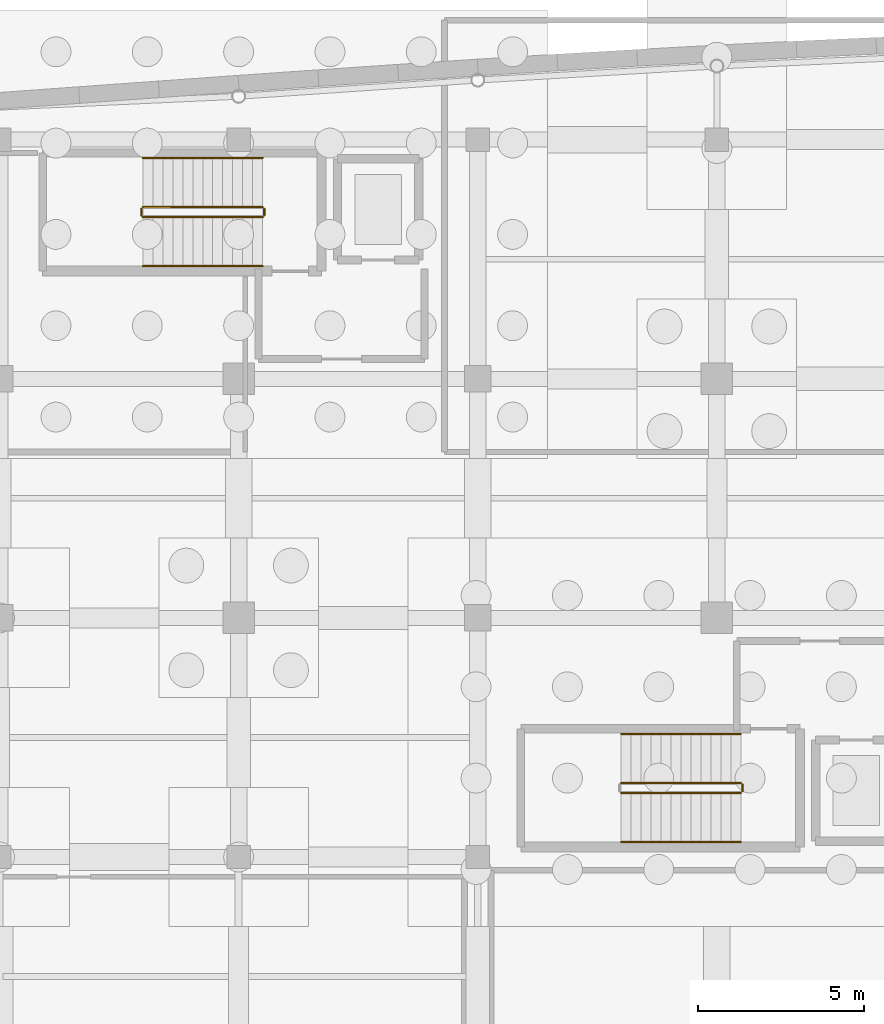
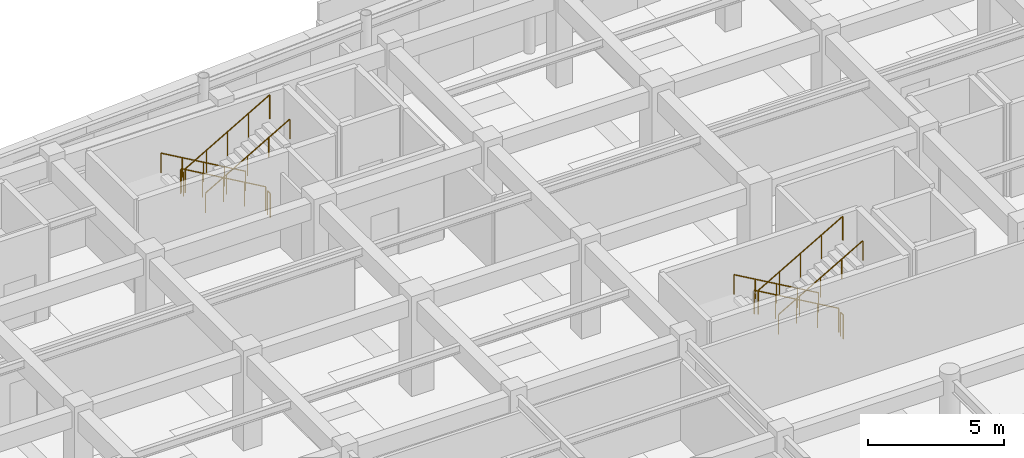
# One storey, part 44 of 48: 11 railings.
"""IFC4 building model written with IfcOpenShell, lengths in metres."""

from ifc_helpers import new_model, si_unit, direction, frame, origin, origin_2d, place, context, subcontext, project, spatial, circle, extrude, material, layer, layer_set, type_object, element, save


model = new_model("IFC4")

# Units and contexts
model_context = context("Model", 3, precision=1e-05, world=origin(), true_north=direction((0.0, 1.0)))
body_context = subcontext(model_context, "Body", "Model", "MODEL_VIEW")
ifc_project = project(units=[si_unit("LENGTHUNIT", "METRE"), si_unit("AREAUNIT", "SQUARE_METRE"), si_unit("VOLUMEUNIT", "CUBIC_METRE"), si_unit("PLANEANGLEUNIT", "RADIAN"), si_unit("MASSUNIT", "GRAM", prefix="KILO")], contexts=[model_context])

# Site, building, storey
site_placement = place(None, origin())
site = spatial("IfcSite", under=ifc_project, at=site_placement, CompositionType="ELEMENT")
building_placement = place(site_placement, origin())
building = spatial("IfcBuilding", under=site, at=building_placement, Name="Carrowvane Square Congress Hotel", CompositionType="ELEMENT")
storey_placement = place(building_placement, frame((0.0, 0.0, -4.5)))
storey = spatial("IfcBuildingStorey", under=building, at=storey_placement, Name="B01", CompositionType="ELEMENT", Elevation=-4.5)

# Railings
ifc_material_1 = material(Name="Stainless steel 316", Category="steel")
ifc_layer_1 = layer(ifc_material_1, 0.048095703125)
ifc_layer_set_1 = layer_set([ifc_layer_1], Name="Stainless steel 316")
railing_type_1 = type_object("IfcRailingType", Name="RLG-HR-900", PredefinedType="HANDRAIL", material=ifc_layer_set_1)
railing_1_placement = place(storey_placement, frame((62.719970703125, 112.85009765625, 0.173095703125)))
element("IfcRailing", 1, at=railing_1_placement, inside=storey, type_object=railing_type_1, Name="B01 ST1 stair handrail 1", PredefinedType="HANDRAIL", context=body_context, shape_type="SweptSolid", body=[
    extrude(circle(Radius=0.02392578125, at=origin_2d()), frame((0.0, 0.0, 0.8759765625), z_axis=(-0.866178740119, 0.0, 0.499734319579), x_axis=(0.0, -1.0, 0.0)), (0.0, 0.0, 1.0), 4.156005859375),
    extrude(circle(Radius=0.02099609375, at=origin_2d()), origin(), (0.0, 0.0, 1.0), 0.851806640625),
    extrude(circle(Radius=0.02099609375, at=origin_2d()), frame((-0.89990234375, 0.0, 0.519287109375)), (0.0, 0.0, 1.0), 0.851806640625),
    extrude(circle(Radius=0.02099609375, at=origin_2d()), frame((-1.7998046875, 0.0, 1.03857421875)), (0.0, 0.0, 1.0), 0.851806640625),
    extrude(circle(Radius=0.02099609375, at=origin_2d()), frame((-2.699951171875, 0.0, 1.5576171875)), (0.0, 0.0, 1.0), 0.851806640625),
    extrude(circle(Radius=0.02099609375, at=origin_2d()), frame((-3.599853515625, 0.0, 2.076904296875)), (0.0, 0.0, 1.0), 0.851806640625),
])
railing_2_placement = place(storey_placement, frame((59.1201171875, 109.590087890625, 2.423095703125)))
element("IfcRailing", 2, at=railing_2_placement, inside=storey, type_object=railing_type_1, Name="B01 ST1 stair handrail 2", PredefinedType="HANDRAIL", context=body_context, shape_type="SweptSolid", body=[
    extrude(circle(Radius=0.02392578125, at=origin_2d()), frame((0.0, 0.0, 0.8759765625), z_axis=(0.866178740119, 0.0, 0.499734319579), x_axis=(0.0, 1.0, 0.0)), (0.0, 0.0, 1.0), 4.156005859375),
    extrude(circle(Radius=0.02099609375, at=origin_2d()), origin(), (0.0, 0.0, 1.0), 0.851806640625),
    extrude(circle(Radius=0.02099609375, at=origin_2d()), frame((0.89990234375, 0.0, 0.519287109375)), (0.0, 0.0, 1.0), 0.851806640625),
    extrude(circle(Radius=0.02099609375, at=origin_2d()), frame((1.7998046875, 0.0, 1.03857421875)), (0.0, 0.0, 1.0), 0.851806640625),
    extrude(circle(Radius=0.02099609375, at=origin_2d()), frame((2.699951171875, 0.0, 1.5576171875)), (0.0, 0.0, 1.0), 0.851806640625),
    extrude(circle(Radius=0.02099609375, at=origin_2d()), frame((3.599853515625, 0.0, 2.076904296875)), (0.0, 0.0, 1.0), 0.851806640625),
])
railing_3_placement = place(storey_placement, frame((77.1201171875, 95.510009765625, 0.173095703125)))
element("IfcRailing", 3, at=railing_3_placement, inside=storey, type_object=railing_type_1, Name="B01 ST2 stair handrail 1", PredefinedType="HANDRAIL", context=body_context, shape_type="SweptSolid", body=[
    extrude(circle(Radius=0.02392578125, at=origin_2d()), frame((0.0, 0.0, 0.8759765625), z_axis=(-0.866193409371, 0.0, 0.499708892819), x_axis=(0.0, -1.0, 0.0)), (0.0, 0.0, 1.0), 4.15625),
    extrude(circle(Radius=0.02099609375, at=origin_2d()), origin(), (0.0, 0.0, 1.0), 0.851806640625),
    extrude(circle(Radius=0.02099609375, at=origin_2d()), frame((-0.89990234375, 0.0, 0.519287109375)), (0.0, 0.0, 1.0), 0.851806640625),
    extrude(circle(Radius=0.02099609375, at=origin_2d()), frame((-1.800048828125, 0.0, 1.03857421875)), (0.0, 0.0, 1.0), 0.851806640625),
    extrude(circle(Radius=0.02099609375, at=origin_2d()), frame((-2.7001953125, 0.0, 1.5576171875)), (0.0, 0.0, 1.0), 0.851806640625),
    extrude(circle(Radius=0.02099609375, at=origin_2d()), frame((-3.60009765625, 0.0, 2.076904296875)), (0.0, 0.0, 1.0), 0.851806640625),
])
railing_4_placement = place(storey_placement, frame((73.52001953125, 92.25, 2.423095703125)))
element("IfcRailing", 4, at=railing_4_placement, inside=storey, type_object=railing_type_1, Name="B01 ST2 stair handrail 2", PredefinedType="HANDRAIL", context=body_context, shape_type="SweptSolid", body=[
    extrude(circle(Radius=0.02392578125, at=origin_2d()), frame((0.0, 0.0, 0.8759765625), z_axis=(0.866193409371, 0.0, 0.499708892819), x_axis=(0.0, 1.0, 0.0)), (0.0, 0.0, 1.0), 4.15625),
    extrude(circle(Radius=0.02099609375, at=origin_2d()), origin(), (0.0, 0.0, 1.0), 0.851806640625),
    extrude(circle(Radius=0.02099609375, at=origin_2d()), frame((0.89990234375, 0.0, 0.519287109375)), (0.0, 0.0, 1.0), 0.851806640625),
    extrude(circle(Radius=0.02099609375, at=origin_2d()), frame((1.800048828125, 0.0, 1.03857421875)), (0.0, 0.0, 1.0), 0.851806640625),
    extrude(circle(Radius=0.02099609375, at=origin_2d()), frame((2.7001953125, 0.0, 1.5576171875)), (0.0, 0.0, 1.0), 0.851806640625),
    extrude(circle(Radius=0.02099609375, at=origin_2d()), frame((3.60009765625, 0.0, 2.076904296875)), (0.0, 0.0, 1.0), 0.851806640625),
])
ifc_material_2 = material(Name="Galvanised steel", Category="steel")
ifc_layer_2 = layer(ifc_material_2, 0.048095703125)
ifc_layer_set_2 = layer_set([ifc_layer_2], Name="Galvanised steel")
railing_type_2 = type_object("IfcRailingType", Name="RLG-STG-1100", PredefinedType="GUARDRAIL", material=ifc_layer_set_2)
railing_5_placement = place(storey_placement, frame((62.719970703125, 111.3701171875, 0.173095703125)))
element("IfcRailing", 5, at=railing_5_placement, inside=storey, type_object=railing_type_2, Name="B01 ST1 stair guard 1", PredefinedType="GUARDRAIL", context=body_context, shape_type="SweptSolid", body=[
    extrude(circle(Radius=0.02392578125, at=origin_2d()), frame((0.0, 0.0, 1.076171875), z_axis=(-0.866178740119, 0.0, 0.499734319579), x_axis=(0.0, -1.0, 0.0)), (0.0, 0.0, 1.0), 4.156005859375),
    extrude(circle(Radius=0.02099609375, at=origin_2d()), origin(), (0.0, 0.0, 1.0), 1.052001953125),
    extrude(circle(Radius=0.02099609375, at=origin_2d()), frame((-0.89990234375, 0.0, 0.519287109375)), (0.0, 0.0, 1.0), 1.052001953125),
    extrude(circle(Radius=0.02099609375, at=origin_2d()), frame((-1.7998046875, 0.0, 1.03857421875)), (0.0, 0.0, 1.0), 1.052001953125),
    extrude(circle(Radius=0.02099609375, at=origin_2d()), frame((-2.699951171875, 0.0, 1.5576171875)), (0.0, 0.0, 1.0), 1.052001953125),
    extrude(circle(Radius=0.02099609375, at=origin_2d()), frame((-3.599853515625, 0.0, 2.076904296875)), (0.0, 0.0, 1.0), 1.052001953125),
])
railing_6_placement = place(storey_placement, frame((59.070068359375, 111.320068359375, 2.25)))
element("IfcRailing", 6, at=railing_6_placement, inside=storey, type_object=railing_type_2, Name="B01 ST1 stair guard 2", PredefinedType="GUARDRAIL", context=body_context, shape_type="SweptSolid", body=[
    extrude(circle(Radius=0.02392578125, at=origin_2d()), frame((0.0, 0.0, 1.076171875), z_axis=(0.0, -1.0, 0.0), x_axis=(1.0, 0.0, 0.0)), (0.0, 0.0, 1.0), 0.199951171875),
    extrude(circle(Radius=0.02099609375, at=origin_2d()), origin(), (0.0, 0.0, 1.0), 1.052001953125),
    extrude(circle(Radius=0.02099609375, at=origin_2d()), frame((0.0, -0.199951171875, 0.0)), (0.0, 0.0, 1.0), 1.052001953125),
])
railing_7_placement = place(storey_placement, frame((59.1201171875, 111.070068359375, 2.423095703125)))
element("IfcRailing", 7, at=railing_7_placement, inside=storey, type_object=railing_type_2, Name="B01 ST1 stair guard 3", PredefinedType="GUARDRAIL", context=body_context, shape_type="SweptSolid", body=[
    extrude(circle(Radius=0.02392578125, at=origin_2d()), frame((0.0, 0.0, 1.076171875), z_axis=(0.866178740119, 0.0, 0.499734319579), x_axis=(0.0, 1.0, 0.0)), (0.0, 0.0, 1.0), 4.156005859375),
    extrude(circle(Radius=0.02099609375, at=origin_2d()), origin(), (0.0, 0.0, 1.0), 1.052001953125),
    extrude(circle(Radius=0.02099609375, at=origin_2d()), frame((0.89990234375, 0.0, 0.519287109375)), (0.0, 0.0, 1.0), 1.052001953125),
    extrude(circle(Radius=0.02099609375, at=origin_2d()), frame((1.7998046875, 0.0, 1.03857421875)), (0.0, 0.0, 1.0), 1.052001953125),
    extrude(circle(Radius=0.02099609375, at=origin_2d()), frame((2.699951171875, 0.0, 1.5576171875)), (0.0, 0.0, 1.0), 1.052001953125),
    extrude(circle(Radius=0.02099609375, at=origin_2d()), frame((3.599853515625, 0.0, 2.076904296875)), (0.0, 0.0, 1.0), 1.052001953125),
])
railing_8_placement = place(storey_placement, frame((62.77001953125, 111.320068359375, 0.0)))
element("IfcRailing", 8, at=railing_8_placement, inside=storey, type_object=railing_type_2, Name="B01 ST1 stair guard 4", PredefinedType="GUARDRAIL", context=body_context, shape_type="SweptSolid", body=[
    extrude(circle(Radius=0.02392578125, at=origin_2d()), frame((0.0, 0.0, 1.076171875), z_axis=(0.0, -1.0, 0.0), x_axis=(1.0, 0.0, 0.0)), (0.0, 0.0, 1.0), 0.199951171875),
    extrude(circle(Radius=0.02099609375, at=origin_2d()), origin(), (0.0, 0.0, 1.0), 1.052001953125),
    extrude(circle(Radius=0.02099609375, at=origin_2d()), frame((0.0, -0.199951171875, 0.0)), (0.0, 0.0, 1.0), 1.052001953125),
])
railing_9_placement = place(storey_placement, frame((77.1201171875, 94.030029296875, 0.173095703125)))
element("IfcRailing", 9, at=railing_9_placement, inside=storey, type_object=railing_type_2, Name="B01 ST2 stair guard 1", PredefinedType="GUARDRAIL", context=body_context, shape_type="SweptSolid", body=[
    extrude(circle(Radius=0.02392578125, at=origin_2d()), frame((0.0, 0.0, 1.076171875), z_axis=(-0.866193409371, 0.0, 0.499708892819), x_axis=(0.0, -1.0, 0.0)), (0.0, 0.0, 1.0), 4.15625),
    extrude(circle(Radius=0.02099609375, at=origin_2d()), origin(), (0.0, 0.0, 1.0), 1.052001953125),
    extrude(circle(Radius=0.02099609375, at=origin_2d()), frame((-0.89990234375, 0.0, 0.519287109375)), (0.0, 0.0, 1.0), 1.052001953125),
    extrude(circle(Radius=0.02099609375, at=origin_2d()), frame((-1.800048828125, 0.0, 1.03857421875)), (0.0, 0.0, 1.0), 1.052001953125),
    extrude(circle(Radius=0.02099609375, at=origin_2d()), frame((-2.7001953125, 0.0, 1.5576171875)), (0.0, 0.0, 1.0), 1.052001953125),
    extrude(circle(Radius=0.02099609375, at=origin_2d()), frame((-3.60009765625, 0.0, 2.076904296875)), (0.0, 0.0, 1.0), 1.052001953125),
])
railing_10_placement = place(storey_placement, frame((73.52001953125, 93.72998046875, 2.423095703125)))
element("IfcRailing", 10, at=railing_10_placement, inside=storey, type_object=railing_type_2, Name="B01 ST2 stair guard 3", PredefinedType="GUARDRAIL", context=body_context, shape_type="SweptSolid", body=[
    extrude(circle(Radius=0.02392578125, at=origin_2d()), frame((0.0, 0.0, 1.076171875), z_axis=(0.866193409371, 0.0, 0.499708892819), x_axis=(0.0, 1.0, 0.0)), (0.0, 0.0, 1.0), 4.15625),
    extrude(circle(Radius=0.02099609375, at=origin_2d()), origin(), (0.0, 0.0, 1.0), 1.052001953125),
    extrude(circle(Radius=0.02099609375, at=origin_2d()), frame((0.89990234375, 0.0, 0.519287109375)), (0.0, 0.0, 1.0), 1.052001953125),
    extrude(circle(Radius=0.02099609375, at=origin_2d()), frame((1.800048828125, 0.0, 1.03857421875)), (0.0, 0.0, 1.0), 1.052001953125),
    extrude(circle(Radius=0.02099609375, at=origin_2d()), frame((2.7001953125, 0.0, 1.5576171875)), (0.0, 0.0, 1.0), 1.052001953125),
    extrude(circle(Radius=0.02099609375, at=origin_2d()), frame((3.60009765625, 0.0, 2.076904296875)), (0.0, 0.0, 1.0), 1.052001953125),
])
railing_11_placement = place(storey_placement, frame((77.169921875, 93.97998046875, 0.0)))
element("IfcRailing", 11, at=railing_11_placement, inside=storey, type_object=railing_type_2, Name="B01 ST2 stair guard 4", PredefinedType="GUARDRAIL", context=body_context, shape_type="SweptSolid", body=[
    extrude(circle(Radius=0.02392578125, at=origin_2d()), frame((0.0, 0.0, 1.076171875), z_axis=(0.0, -1.0, 0.0), x_axis=(1.0, 0.0, 0.0)), (0.0, 0.0, 1.0), 0.199951171875),
    extrude(circle(Radius=0.02099609375, at=origin_2d()), origin(), (0.0, 0.0, 1.0), 1.052001953125),
    extrude(circle(Radius=0.02099609375, at=origin_2d()), frame((0.0, -0.199951171875, 0.0)), (0.0, 0.0, 1.0), 1.052001953125),
])

save(model, "model.ifc")
